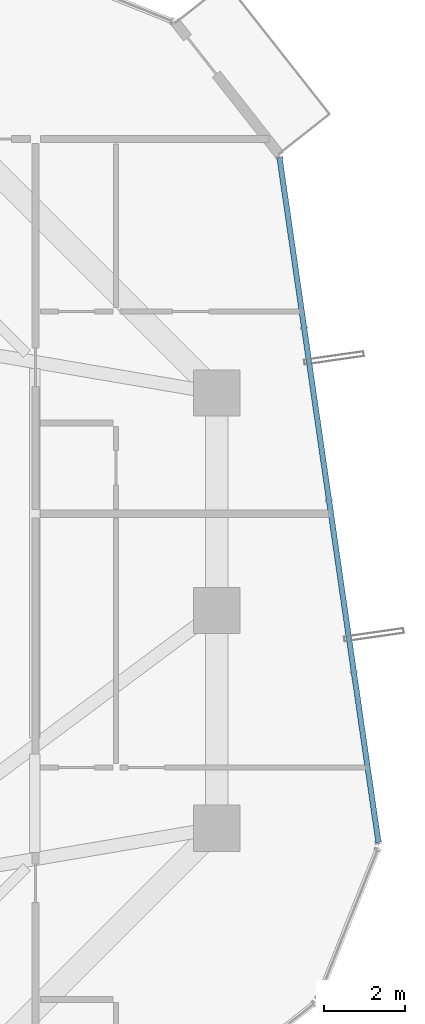
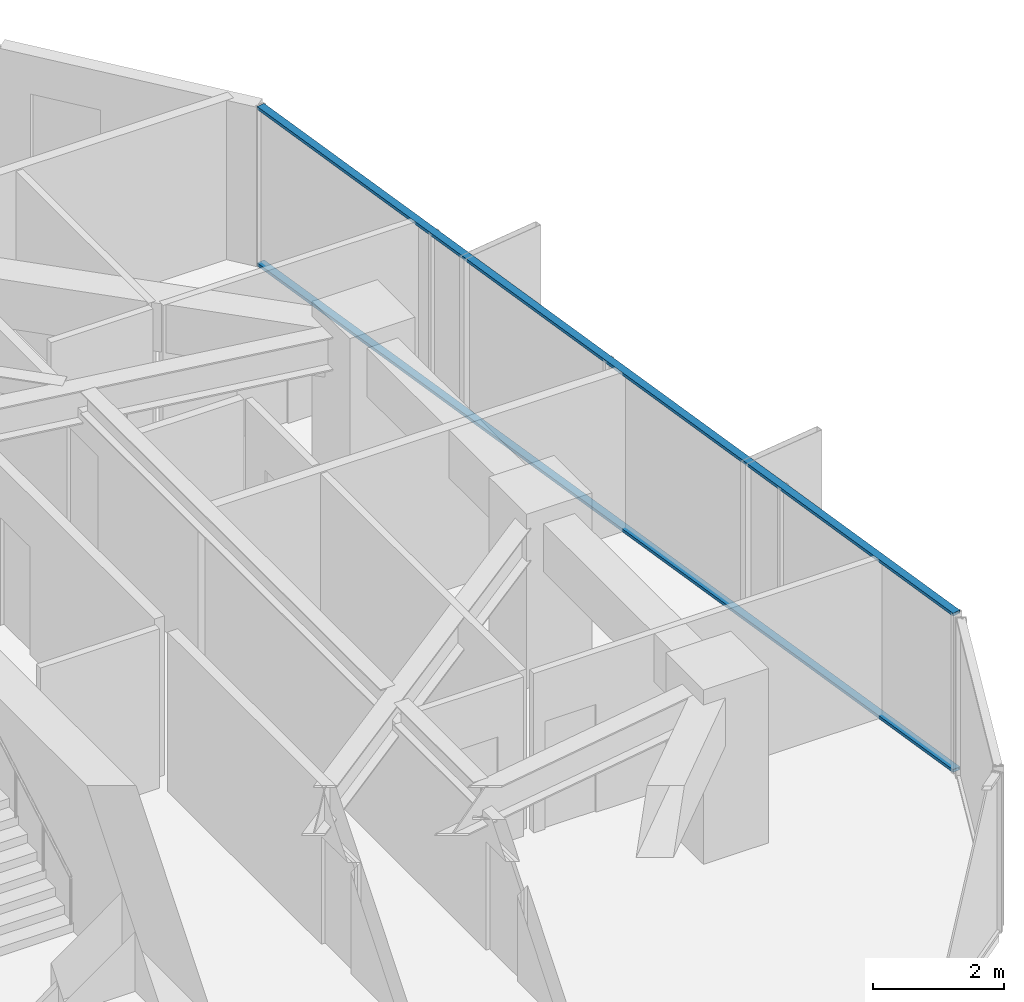
# One storey, part 18 of 34: 2 members, 1 element without a shape of its own.
"""IFC4 building model written with IfcOpenShell, lengths in metres."""

from ifc_helpers import new_model, si_unit, direction, frame, origin, origin_2d, place, context, subcontext, project, spatial, hollow_rectangle, extrude, source, transform, mapped, material, layer, layer_set, material_profile, profile_set, type_object, element, aggregate, save


model = new_model("IFC4")

# Units and contexts
model_context = context("Model", 3, precision=1e-05, world=origin(), true_north=direction((0.0, 1.0)))
body_context = subcontext(model_context, "Body", "Model", "MODEL_VIEW")
ifc_project = project(units=[si_unit("LENGTHUNIT", "METRE"), si_unit("AREAUNIT", "SQUARE_METRE"), si_unit("VOLUMEUNIT", "CUBIC_METRE"), si_unit("PLANEANGLEUNIT", "RADIAN"), si_unit("MASSUNIT", "GRAM", prefix="KILO")], contexts=[model_context])

# Site, building, storey
site_placement = place(None, origin())
site = spatial("IfcSite", under=ifc_project, at=site_placement, CompositionType="ELEMENT")
building_placement = place(site_placement, origin())
building = spatial("IfcBuilding", under=site, at=building_placement, Name="Veraguas Prism Commons", CompositionType="ELEMENT")
storey_placement = place(building_placement, frame((0.0, 0.0, 155.5)))
storey = spatial("IfcBuildingStorey", under=building, at=storey_placement, Name="L44", CompositionType="ELEMENT", Elevation=155.5)

# Curtain wall, members
ifc_material = material(Name="Anodised aluminium EN AW-6063 T6", Category="aluminium")
ifc_layer = layer(ifc_material, 0.169921875, Name="Unitised Flush Curtain Wall Zone 2", Category="aluminium")
ifc_layer_set = layer_set([ifc_layer], Name="Anodised aluminium EN AW-6063 T6")
curtain_wall_type = type_object("IfcCurtainWallType", Name="Unitised Flush Curtain Wall Zone 2", PredefinedType="NOTDEFINED", material=ifc_layer_set)
curtain_wall_placement = place(storey_placement, origin())
curtain_wall = element("IfcCurtainWall", 1, at=curtain_wall_placement, inside=storey, type_object=curtain_wall_type, Name="Tower Facade Curtain Wall L44-F6", PredefinedType="NOTDEFINED")
ifc_material_profile = material_profile(ifc_material, hollow_rectangle(XDim=0.054931640625, YDim=0.135009765625, WallThickness=0.0029296875, at=origin_2d()), Name="AL55X135X3")
ifc_profile_set = profile_set([ifc_material_profile], Name="Anodised aluminium EN AW-6063 T6")
member_type = type_object("IfcMemberType", Name="Curtain Wall Transom Standard AL 55x135x3", PredefinedType="USERDEFINED", material=ifc_profile_set)
shared_shape = source(origin(), body_context, "Body", "SweptSolid", [
    extrude(hollow_rectangle(XDim=0.054931640625, YDim=0.135009765625, WallThickness=0.0029296875, at=origin_2d()), origin(), (0.0, 0.0, 1.0), 17.17431640625),
])
member_1_placement = place(storey_placement, frame((44.213134765625, 18.24365234375, 0.027587890625), z_axis=(-0.142979483972, 0.989725652473, 0.0), x_axis=(0.0, 0.0, 1.0)))
member_1 = element("IfcMember", 2, at=member_1_placement, type_object=member_type, Name="CW-Z2 Transom 1", ObjectType="TRANSOM", PredefinedType="USERDEFINED", context=body_context, shape_type="MappedRepresentation", body=[
    mapped(shared_shape, transform((0.0, 0.0, 0.0), scale=1.0)),
])
member_2_placement = place(storey_placement, frame((44.213134765625, 18.24365234375, 2.9423828125), z_axis=(-0.142979483972, 0.989725652473, 0.0), x_axis=(0.0, 0.0, 1.0)))
member_2 = element("IfcMember", 3, at=member_2_placement, type_object=member_type, Name="CW-Z2 Transom 2", ObjectType="TRANSOM", PredefinedType="USERDEFINED", context=body_context, shape_type="MappedRepresentation", body=[
    mapped(shared_shape, transform((0.0, 0.0, 0.0), scale=1.0)),
])
aggregate(curtain_wall, [member_1, member_2])

save(model, "model.ifc")
